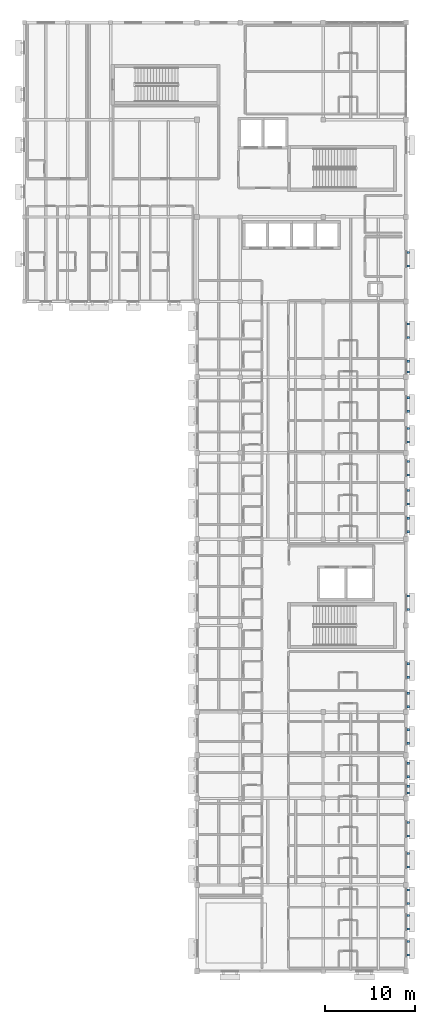
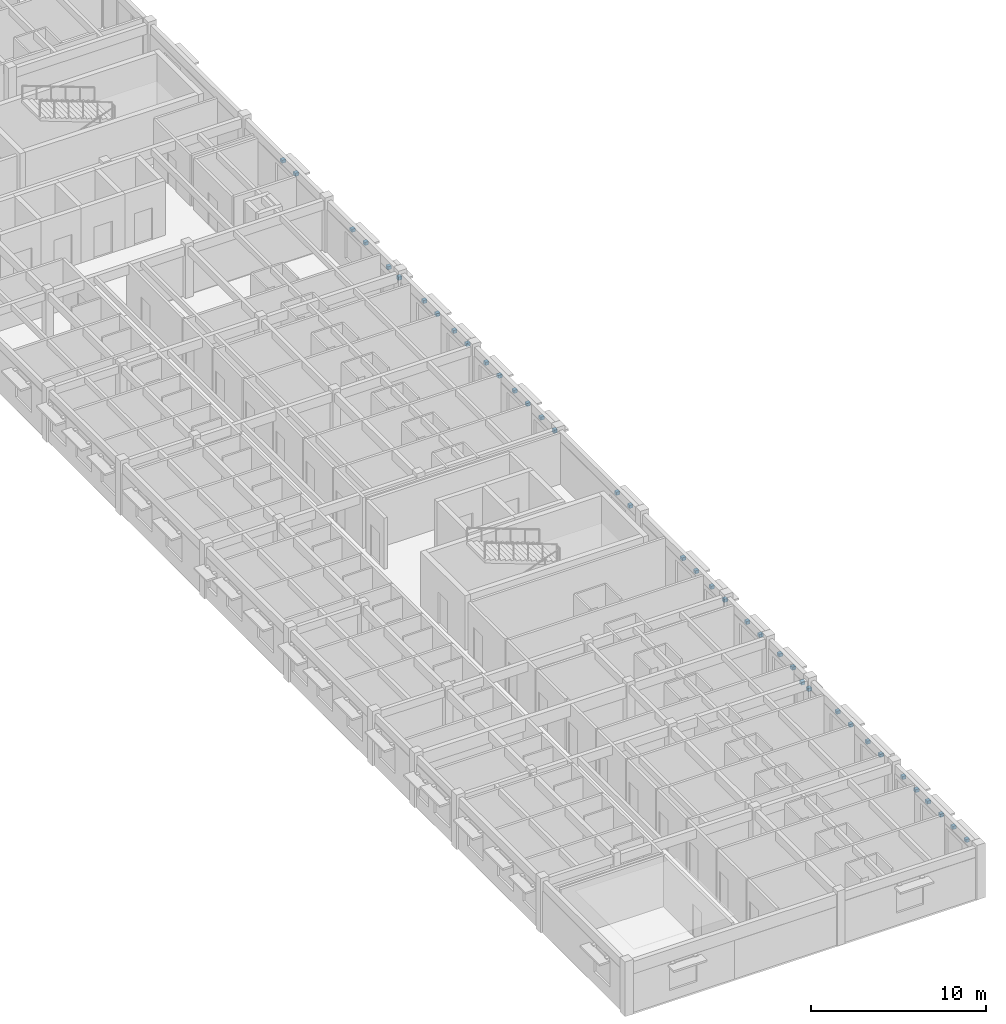
# One storey, part 24 of 31: 38 discrete accessories.
"""IFC4 building model written with IfcOpenShell, lengths in metres."""

from ifc_helpers import new_model, si_unit, direction, frame, origin, origin_2d, place, context, subcontext, project, spatial, rectangle, extrude, material, type_object, element, save


model = new_model("IFC4")

# Units and contexts
model_context = context("Model", 3, precision=1e-05, world=origin(), true_north=direction((0.0, 1.0)))
body_context = subcontext(model_context, "Body", "Model", "MODEL_VIEW")
ifc_project = project(units=[si_unit("LENGTHUNIT", "METRE"), si_unit("AREAUNIT", "SQUARE_METRE"), si_unit("VOLUMEUNIT", "CUBIC_METRE"), si_unit("PLANEANGLEUNIT", "RADIAN"), si_unit("MASSUNIT", "GRAM", prefix="KILO")], contexts=[model_context])

# Site, building, storey
site_placement = place(None, origin())
site = spatial("IfcSite", under=ifc_project, at=site_placement, CompositionType="ELEMENT")
building_placement = place(site_placement, origin())
building = spatial("IfcBuilding", under=site, at=building_placement, Name="Veldera Park Congress Hotel", CompositionType="ELEMENT")
storey_placement = place(building_placement, frame((0.0, 0.0, 20.0)))
storey = spatial("IfcBuildingStorey", under=building, at=storey_placement, Name="L04", CompositionType="ELEMENT", Elevation=20.0)

# Discrete accessories
ifc_material = material(Name="Steel ASTM A992 Gr.50", Category="steel")
discrete_accessory_type = type_object("IfcDiscreteAccessoryType", Name="ACC-BRK160", PredefinedType="BRACKET", material=ifc_material)
for number, where, z_axis, x_axis, name in (
    (1, (84.25, -45.611083984375, 2.669921875), (0.0, 0.0, 1.0), (0.0, 1.0, 0.0), "Shading Steel Outrigger Bracket 144L"),
    (2, (84.25, -44.111083984375, 2.669921875), (0.0, 0.0, 1.0), (0.0, 1.0, 0.0), "Shading Steel Outrigger Bracket 144R"),
    (3, (84.25, -7.2109375, 2.669921875), (0.0, 0.0, 1.0), (0.0, 1.0, 0.0), "Shading Steel Outrigger Bracket 145L"),
    (4, (84.25, -5.7109375, 2.669921875), (0.0, 0.0, 1.0), (0.0, 1.0, 0.0), "Shading Steel Outrigger Bracket 145R"),
    (5, (84.25, 30.949951171875, 2.669921875), (0.0, 0.0, 1.0), (0.0, 1.0, 0.0), "Shading Steel Outrigger Bracket 146L"),
    (6, (84.25, 32.449951171875, 2.669921875), (0.0, 0.0, 1.0), (0.0, 1.0, 0.0), "Shading Steel Outrigger Bracket 146R"),
    (7, (84.25, -42.699951171875, 2.669921875), (0.0, 0.0, 1.0), (0.0, 1.0, 0.0), "Shading Steel Outrigger Bracket 376L"),
    (8, (84.25, -41.199951171875, 2.669921875), (0.0, 0.0, 1.0), (0.0, 1.0, 0.0), "Shading Steel Outrigger Bracket 376R"),
    (9, (84.25, -39.8740234375, 2.669921875), (0.0, 0.0, 1.0), (0.0, 1.0, 0.0), "Shading Steel Outrigger Bracket 377L"),
    (10, (84.25, -38.3740234375, 2.669921875), (0.0, 0.0, 1.0), (0.0, 1.0, 0.0), "Shading Steel Outrigger Bracket 377R"),
    (11, (84.25, -35.820068359375, 2.669921875), (0.0, 0.0, 1.0), (0.0, 1.0, 0.0), "Shading Steel Outrigger Bracket 378L"),
    (12, (84.25, -34.320068359375, 2.669921875), (0.0, 0.0, 1.0), (0.0, 1.0, 0.0), "Shading Steel Outrigger Bracket 378R"),
    (13, (84.25, -32.3798828125, 2.669921875), (0.0, 0.0, 1.0), (0.0, 1.0, 0.0), "Shading Steel Outrigger Bracket 379L"),
    (14, (84.25, -30.8798828125, 2.669921875), (0.0, 0.0, 1.0), (0.0, 1.0, 0.0), "Shading Steel Outrigger Bracket 379R"),
    (15, (84.25, -27.60107421875, 2.27001953125), (0.0, 0.0, 1.0), (0.0, 1.0, 0.0), "Shading Steel Outrigger Bracket 380L"),
    (16, (84.25, -26.85107421875, 2.27001953125), (0.0, 0.0, 1.0), (0.0, 1.0, 0.0), "Shading Steel Outrigger Bracket 380R"),
    (17, (84.25, -25.7939453125, 2.669921875), (0.0, 0.0, 1.0), (0.0, 1.0, 0.0), "Shading Steel Outrigger Bracket 381L"),
    (18, (84.25, -24.2939453125, 2.669921875), (0.0, 0.0, 1.0), (0.0, 1.0, 0.0), "Shading Steel Outrigger Bracket 381R"),
    (19, (84.25, -22.06005859375, 2.669921875), (0.0, 0.0, 1.0), (0.0, 1.0, 0.0), "Shading Steel Outrigger Bracket 382L"),
    (20, (84.25, -20.56005859375, 2.669921875), (0.0, 0.0, 1.0), (0.0, 1.0, 0.0), "Shading Steel Outrigger Bracket 382R"),
    (21, (84.25, -18.01611328125, 2.669921875), (0.0, 0.0, 1.0), (0.0, 1.0, 0.0), "Shading Steel Outrigger Bracket 383L"),
    (22, (84.25, -16.51611328125, 2.669921875), (0.0, 0.0, 1.0), (0.0, 1.0, 0.0), "Shading Steel Outrigger Bracket 383R"),
    (23, (84.25, -14.72998046875, 2.669921875), (0.0, 0.0, 1.0), (0.0, 1.0, 0.0), "Shading Steel Outrigger Bracket 384L"),
    (24, (84.25, -13.22998046875, 2.669921875), (0.0, 0.0, 1.0), (0.0, 1.0, 0.0), "Shading Steel Outrigger Bracket 384R"),
    (25, (84.25, 1.424072265625, 2.669921875), (0.0, 0.0, 1.0), (0.0, 1.0, 0.0), "Shading Steel Outrigger Bracket 385L"),
    (26, (84.25, 2.924072265625, 2.669921875), (0.0, 0.0, 1.0), (0.0, 1.0, 0.0), "Shading Steel Outrigger Bracket 385R"),
    (27, (84.25, 4.5, 2.669921875), (0.0, 0.0, 1.0), (0.0, 1.0, 0.0), "Shading Steel Outrigger Bracket 386L"),
    (28, (84.25, 6.0, 2.669921875), (0.0, 0.0, 1.0), (0.0, 1.0, 0.0), "Shading Steel Outrigger Bracket 386R"),
    (29, (84.25, 7.72607421875, 2.669921875), (0.0, 0.0, 1.0), (0.0, 1.0, 0.0), "Shading Steel Outrigger Bracket 387L"),
    (30, (84.25, 9.22607421875, 2.669921875), (0.0, 0.0, 1.0), (0.0, 1.0, 0.0), "Shading Steel Outrigger Bracket 387R"),
    (31, (84.25, 11.384033203125, 2.669921875), (0.0, 0.0, 1.0), (0.0, 1.0, 0.0), "Shading Steel Outrigger Bracket 388L"),
    (32, (84.25, 12.884033203125, 2.669921875), (0.0, 0.0, 1.0), (0.0, 1.0, 0.0), "Shading Steel Outrigger Bracket 388R"),
    (33, (84.25, 14.820068359375, 2.669921875), (0.0, 0.0, 1.0), (0.0, 1.0, 0.0), "Shading Steel Outrigger Bracket 389L"),
    (34, (84.25, 16.320068359375, 2.669921875), (0.0, 0.0, 1.0), (0.0, 1.0, 0.0), "Shading Steel Outrigger Bracket 389R"),
    (35, (84.25, 19.174072265625, 2.56982421875), (0.0, 0.0, 1.0), (0.0, 1.0, 0.0), "Shading Steel Outrigger Bracket 390L"),
    (36, (84.25, 20.3740234375, 2.56982421875), (0.0, 0.0, 1.0), (0.0, 1.0, 0.0), "Shading Steel Outrigger Bracket 390R"),
    (37, (84.25, 23.006103515625, 2.669921875), (0.0, 0.0, 1.0), (0.0, 1.0, 0.0), "Shading Steel Outrigger Bracket 391L"),
    (38, (84.25, 24.506103515625, 2.669921875), (0.0, 0.0, 1.0), (0.0, 1.0, 0.0), "Shading Steel Outrigger Bracket 391R"),
):
    element("IfcDiscreteAccessory", number, at=place(storey_placement, frame(where, z_axis=z_axis, x_axis=x_axis)), inside=storey, type_object=discrete_accessory_type, Name=name, PredefinedType="BRACKET", context=body_context, shape_type="SweptSolid", body=[
        extrude(rectangle(XDim=0.239990234375, YDim=0.239990234375, at=origin_2d()), origin(), (0.0, 0.0, 1.0), 0.219970703125),
    ])

save(model, "model.ifc")
